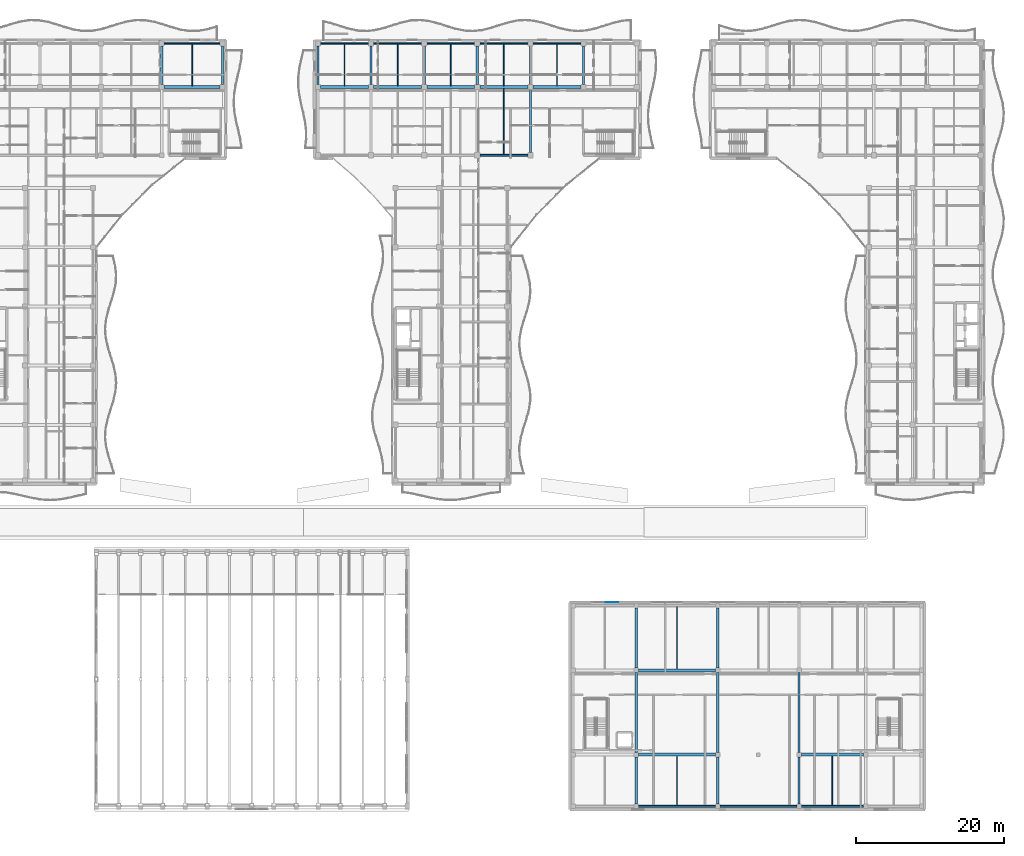
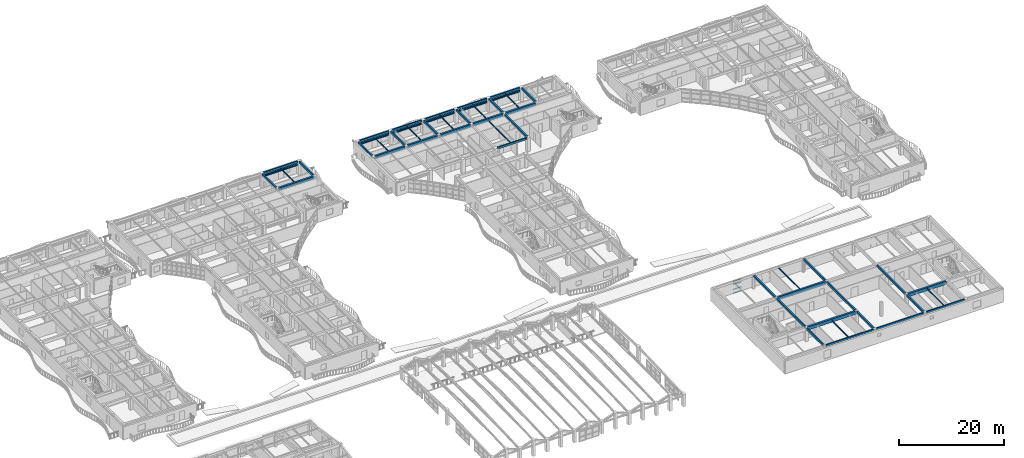
# One storey, part 57 of 128: 46 beams, 16 members, 1 element without a shape of its own.
"""IFC4 building model written with IfcOpenShell, lengths in metres."""

from ifc_helpers import new_model, si_unit, direction, frame, origin, origin_2d, place, context, subcontext, project, spatial, rectangle, hollow_rectangle, i_section, extrude, material, layer, layer_set, material_profile, profile_set, type_object, element, aggregate, save


model = new_model("IFC4")

# Units and contexts
model_context = context("Model", 3, precision=1e-05, world=origin(), true_north=direction((0.0, 1.0)))
body_context = subcontext(model_context, "Body", "Model", "MODEL_VIEW")
ifc_project = project(units=[si_unit("LENGTHUNIT", "METRE"), si_unit("AREAUNIT", "SQUARE_METRE"), si_unit("VOLUMEUNIT", "CUBIC_METRE"), si_unit("PLANEANGLEUNIT", "RADIAN"), si_unit("MASSUNIT", "GRAM", prefix="KILO")], contexts=[model_context])

# Site, building, storey
site_placement = place(None, origin())
site = spatial("IfcSite", under=ifc_project, at=site_placement, CompositionType="ELEMENT")
building_placement = place(site_placement, origin())
building = spatial("IfcBuilding", under=site, at=building_placement, Name="Keldmere Railside Commons", CompositionType="ELEMENT")
storey_placement = place(building_placement, frame((0.0, 0.0, 4.159912109375)))
storey = spatial("IfcBuildingStorey", under=building, at=storey_placement, Name="L01", CompositionType="ELEMENT", Elevation=4.159912109375)

# Members
ifc_material_1 = material(Name="Steel F-36 (S355)", Category="steel")
ifc_material_profile_1 = material_profile(ifc_material_1, hollow_rectangle(XDim=0.14990234375, YDim=0.25, WallThickness=0.010009765625, at=origin_2d()), Name="RHS-250x150x10")
ifc_profile_set_1 = profile_set([ifc_material_profile_1], Name="Steel F-36 (S355)")
member_type_1 = type_object("IfcMemberType", Name="Balcony Continuous Planted Trough RHS250x150", PredefinedType="CHORD", material=ifc_profile_set_1)
member_1_placement = place(storey_placement, frame((73.155029296875, 115.550048828125, 2.4150390625), z_axis=(1.0, 0.0, 0.0), x_axis=(0.0, 1.0, 0.0)))
element("IfcMember", 1, at=member_1_placement, inside=storey, type_object=member_type_1, Name="PLT-1 MEM-BPLT-0127", PredefinedType="CHORD", context=body_context, shape_type="SweptSolid", body=[
    extrude(hollow_rectangle(XDim=0.14990234375, YDim=0.25, WallThickness=0.010009765625, at=origin_2d()), origin(), (0.0, 0.0, 1.0), 7.570068359375),
])
member_2_placement = place(storey_placement, frame((94.300048828125, 115.550048828125, 2.4150390625), z_axis=(1.0, 0.0, 0.0), x_axis=(0.0, 1.0, 0.0)))
element("IfcMember", 2, at=member_2_placement, inside=storey, type_object=member_type_1, Name="PLT-1 MEM-BPLT-0153", PredefinedType="CHORD", context=body_context, shape_type="SweptSolid", body=[
    extrude(hollow_rectangle(XDim=0.14990234375, YDim=0.25, WallThickness=0.010009765625, at=origin_2d()), origin(), (0.0, 0.0, 1.0), 6.48291015625),
])
member_3_placement = place(storey_placement, frame((101.48291015625, 115.550048828125, 2.4150390625), z_axis=(1.0, 0.0, 0.0), x_axis=(0.0, 1.0, 0.0)))
element("IfcMember", 3, at=member_3_placement, inside=storey, type_object=member_type_1, Name="PLT-1 MEM-BPLT-0155", PredefinedType="CHORD", context=body_context, shape_type="SweptSolid", body=[
    extrude(hollow_rectangle(XDim=0.14990234375, YDim=0.25, WallThickness=0.010009765625, at=origin_2d()), origin(), (0.0, 0.0, 1.0), 6.484130859375),
])
for number, where, z_axis, x_axis, name in (
    (4, (108.6669921875, 115.550048828125, 2.4150390625), (1.0, 0.0, 0.0), (0.0, 1.0, 0.0), "PLT-1 MEM-BPLT-0157"),
    (5, (115.85009765625, 115.550048828125, 2.4150390625), (1.0, 0.0, 0.0), (0.0, 1.0, 0.0), "PLT-1 MEM-BPLT-0159"),
):
    element("IfcMember", number, at=place(storey_placement, frame(where, z_axis=z_axis, x_axis=x_axis)), inside=storey, type_object=member_type_1, Name=name, PredefinedType="CHORD", context=body_context, shape_type="SweptSolid", body=[
        extrude(hollow_rectangle(XDim=0.14990234375, YDim=0.25, WallThickness=0.010009765625, at=origin_2d()), origin(), (0.0, 0.0, 1.0), 6.48291015625),
    ])
member_4_placement = place(storey_placement, frame((123.032958984375, 115.550048828125, 2.4150390625), z_axis=(1.0, 0.0, 0.0), x_axis=(0.0, 1.0, 0.0)))
element("IfcMember", 6, at=member_4_placement, inside=storey, type_object=member_type_1, Name="PLT-1 MEM-BPLT-0161", PredefinedType="CHORD", context=body_context, shape_type="SweptSolid", body=[
    extrude(hollow_rectangle(XDim=0.14990234375, YDim=0.25, WallThickness=0.010009765625, at=origin_2d()), origin(), (0.0, 0.0, 1.0), 6.484130859375),
])

# Beams
ifc_material_2 = material(Name="Concrete H-35 (C35/45)", Category="concrete")
ifc_material_profile_2 = material_profile(ifc_material_2, rectangle(XDim=0.39990234375, YDim=0.75, at=origin_2d()), Name="RC-400x750")
ifc_profile_set_2 = profile_set([ifc_material_profile_2], Name="Concrete H-35 (C35/45)")
beam_type_1 = type_object("IfcBeamType", Name="Civic Frame RC Girder 400x750", PredefinedType="BEAM", material=ifc_profile_set_2)
beam_1_placement = place(storey_placement, frame((137.300048828125, 19.39990234375, 2.8251953125), z_axis=(1.0, 0.0, 0.0), x_axis=(0.0, 1.0, 0.0)))
element("IfcBeam", 7, at=beam_1_placement, inside=storey, type_object=beam_type_1, Name="BG-2 BM-L01-0754", PredefinedType="BEAM", context=body_context, shape_type="SweptSolid", body=[
    extrude(rectangle(XDim=0.39990234375, YDim=0.75, at=origin_2d()), origin(), (0.0, 0.0, 1.0), 10.39990234375),
])
beam_2_placement = place(storey_placement, frame((159.300048828125, 19.39990234375, 2.8251953125), z_axis=(1.0, 0.0, 0.0), x_axis=(0.0, 1.0, 0.0)))
element("IfcBeam", 8, at=beam_2_placement, inside=storey, type_object=beam_type_1, Name="BG-2 BM-L01-0755", PredefinedType="BEAM", context=body_context, shape_type="SweptSolid", body=[
    extrude(rectangle(XDim=0.39990234375, YDim=0.75, at=origin_2d()), origin(), (0.0, 0.0, 1.0), 8.39990234375),
])
beam_3_placement = place(storey_placement, frame((137.300048828125, 30.800048828125, 2.8251953125), z_axis=(1.0, 0.0, 0.0), x_axis=(0.0, 1.0, 0.0)))
element("IfcBeam", 9, at=beam_3_placement, inside=storey, type_object=beam_type_1, Name="BG-2 BM-L01-0762", PredefinedType="BEAM", context=body_context, shape_type="SweptSolid", body=[
    extrude(rectangle(XDim=0.39990234375, YDim=0.75, at=origin_2d()), origin(), (0.0, 0.0, 1.0), 10.39990234375),
])
ifc_material_profile_3 = material_profile(ifc_material_1, i_section(OverallWidth=0.1201171875, OverallDepth=0.239990234375, WebThickness=0.006103515625, FlangeThickness=0.009765625, at=origin_2d()), Name="IPE-240")
ifc_profile_set_3 = profile_set([ifc_material_profile_3], Name="Steel F-36 (S355)")
beam_type_2 = type_object("IfcBeamType", Name="Nursery & Mezzanine Steel Joist IPE240", PredefinedType="JOIST", material=ifc_profile_set_3)
for number, where, z_axis, x_axis, name in (
    (10, (142.5, 12.574951171875, 2.81005859375), (0.0, 1.0, 0.0), (-1.0, 0.0, 0.0), "JST-2 BM-L01-0983"),
    (11, (163.5, 12.574951171875, 2.81005859375), (0.0, 1.0, 0.0), (-1.0, 0.0, 0.0), "JST-2 BM-L01-0984"),
):
    element("IfcBeam", number, at=place(storey_placement, frame(where, z_axis=z_axis, x_axis=x_axis)), inside=storey, type_object=beam_type_2, Name=name, PredefinedType="JOIST", context=body_context, shape_type="SweptSolid", body=[
        extrude(i_section(OverallWidth=0.1201171875, OverallDepth=0.239990234375, WebThickness=0.006103515625, FlangeThickness=0.009765625, at=origin_2d()), origin(), (0.0, 0.0, 1.0), 6.625),
    ])
beam_4_placement = place(storey_placement, frame((142.5, 31.0, 2.81005859375), z_axis=(0.0, 1.0, 0.0), x_axis=(-1.0, 0.0, 0.0)))
element("IfcBeam", 12, at=beam_4_placement, inside=storey, type_object=beam_type_2, Name="JST-2 BM-L01-0992", PredefinedType="JOIST", context=body_context, shape_type="SweptSolid", body=[
    extrude(i_section(OverallWidth=0.1201171875, OverallDepth=0.239990234375, WebThickness=0.006103515625, FlangeThickness=0.009765625, at=origin_2d()), origin(), (0.0, 0.0, 1.0), 8.425048828125),
])
beam_5_placement = place(storey_placement, frame((119.091064453125, 100.574951171875, 2.81005859375), z_axis=(0.0, 1.0, 0.0), x_axis=(-1.0, 0.0, 0.0)))
element("IfcBeam", 13, at=beam_5_placement, inside=storey, type_object=beam_type_2, Name="JST-2 BM-L01-1026", PredefinedType="JOIST", context=body_context, shape_type="SweptSolid", body=[
    extrude(i_section(OverallWidth=0.1201171875, OverallDepth=0.239990234375, WebThickness=0.006103515625, FlangeThickness=0.009765625, at=origin_2d()), origin(), (0.0, 0.0, 1.0), 8.875),
])
for number, where, z_axis, x_axis, name in (
    (14, (76.93994140625, 109.85009765625, 2.81005859375), (0.0, 1.0, 0.0), (-1.0, 0.0, 0.0), "JST-2 BM-L01-1037"),
    (15, (97.541015625, 109.85009765625, 2.81005859375), (0.0, 1.0, 0.0), (-1.0, 0.0, 0.0), "JST-2 BM-L01-1038"),
    (16, (104.72509765625, 109.85009765625, 2.81005859375), (0.0, 1.0, 0.0), (-1.0, 0.0, 0.0), "JST-2 BM-L01-1039"),
    (17, (111.908935546875, 109.85009765625, 2.81005859375), (0.0, 1.0, 0.0), (-1.0, 0.0, 0.0), "JST-2 BM-L01-1040"),
    (18, (119.091064453125, 109.85009765625, 2.81005859375), (0.0, 1.0, 0.0), (-1.0, 0.0, 0.0), "JST-2 BM-L01-1041"),
    (19, (126.27490234375, 109.85009765625, 2.81005859375), (0.0, 1.0, 0.0), (-1.0, 0.0, 0.0), "JST-2 BM-L01-1042"),
):
    element("IfcBeam", number, at=place(storey_placement, frame(where, z_axis=z_axis, x_axis=x_axis)), inside=storey, type_object=beam_type_2, Name=name, PredefinedType="JOIST", context=body_context, shape_type="SweptSolid", body=[
        extrude(i_section(OverallWidth=0.1201171875, OverallDepth=0.239990234375, WebThickness=0.006103515625, FlangeThickness=0.009765625, at=origin_2d()), origin(), (0.0, 0.0, 1.0), 5.574951171875),
    ])
ifc_material_3 = material(Name="Architectural Precast Concrete H-35 (C35/45)", Category="concrete")
ifc_material_profile_4 = material_profile(ifc_material_3, rectangle(XDim=0.25, YDim=0.449951171875, at=origin_2d()), Name="RC-250x450")
ifc_profile_set_4 = profile_set([ifc_material_profile_4], Name="Architectural Precast Concrete H-35 (C35/45)")
beam_type_3 = type_object("IfcBeamType", Name="Perimeter Precast Spandrel Beam 250x450", PredefinedType="SPANDREL", material=ifc_profile_set_4)
for number, where, z_axis, x_axis, name in (
    (20, (137.300048828125, 12.449951171875, 2.97509765625), (1.0, 0.0, 0.0), (0.0, 1.0, 0.0), "SPB-1 BM-L01-0745"),
    (21, (148.300048828125, 12.449951171875, 2.97509765625), (1.0, 0.0, 0.0), (0.0, 1.0, 0.0), "SPB-1 BM-L01-0746"),
):
    element("IfcBeam", number, at=place(storey_placement, frame(where, z_axis=z_axis, x_axis=x_axis)), inside=storey, type_object=beam_type_3, Name=name, PredefinedType="SPANDREL", context=body_context, shape_type="SweptSolid", body=[
        extrude(rectangle(XDim=0.25, YDim=0.449951171875, at=origin_2d()), origin(), (0.0, 0.0, 1.0), 10.39990234375),
    ])
beam_6_placement = place(storey_placement, frame((159.300048828125, 12.449951171875, 2.97509765625), z_axis=(1.0, 0.0, 0.0), x_axis=(0.0, 1.0, 0.0)))
element("IfcBeam", 22, at=beam_6_placement, inside=storey, type_object=beam_type_3, Name="SPB-1 BM-L01-0747", PredefinedType="SPANDREL", context=body_context, shape_type="SweptSolid", body=[
    extrude(rectangle(XDim=0.25, YDim=0.449951171875, at=origin_2d()), origin(), (0.0, 0.0, 1.0), 8.39990234375),
])
beam_7_placement = place(storey_placement, frame((115.85009765625, 100.449951171875, 2.97509765625), z_axis=(1.0, 0.0, 0.0), x_axis=(0.0, 1.0, 0.0)))
element("IfcBeam", 23, at=beam_7_placement, inside=storey, type_object=beam_type_3, Name="SPB-1 BM-L01-0826", PredefinedType="SPANDREL", context=body_context, shape_type="SweptSolid", body=[
    extrude(rectangle(XDim=0.25, YDim=0.449951171875, at=origin_2d()), origin(), (0.0, 0.0, 1.0), 6.48291015625),
])
beam_8_placement = place(storey_placement, frame((73.155029296875, 115.550048828125, 2.97509765625), z_axis=(1.0, 0.0, 0.0), x_axis=(0.0, 1.0, 0.0)))
element("IfcBeam", 24, at=beam_8_placement, inside=storey, type_object=beam_type_3, Name="SPB-1 BM-L01-0855", PredefinedType="SPANDREL", context=body_context, shape_type="SweptSolid", body=[
    extrude(rectangle(XDim=0.25, YDim=0.449951171875, at=origin_2d()), origin(), (0.0, 0.0, 1.0), 7.570068359375),
])
beam_9_placement = place(storey_placement, frame((94.300048828125, 115.550048828125, 2.97509765625), z_axis=(1.0, 0.0, 0.0), x_axis=(0.0, 1.0, 0.0)))
element("IfcBeam", 25, at=beam_9_placement, inside=storey, type_object=beam_type_3, Name="SPB-1 BM-L01-0856", PredefinedType="SPANDREL", context=body_context, shape_type="SweptSolid", body=[
    extrude(rectangle(XDim=0.25, YDim=0.449951171875, at=origin_2d()), origin(), (0.0, 0.0, 1.0), 6.48291015625),
])
beam_10_placement = place(storey_placement, frame((101.48291015625, 115.550048828125, 2.97509765625), z_axis=(1.0, 0.0, 0.0), x_axis=(0.0, 1.0, 0.0)))
element("IfcBeam", 26, at=beam_10_placement, inside=storey, type_object=beam_type_3, Name="SPB-1 BM-L01-0857", PredefinedType="SPANDREL", context=body_context, shape_type="SweptSolid", body=[
    extrude(rectangle(XDim=0.25, YDim=0.449951171875, at=origin_2d()), origin(), (0.0, 0.0, 1.0), 6.484130859375),
])
for number, where, z_axis, x_axis, name in (
    (27, (108.6669921875, 115.550048828125, 2.97509765625), (1.0, 0.0, 0.0), (0.0, 1.0, 0.0), "SPB-1 BM-L01-0858"),
    (28, (115.85009765625, 115.550048828125, 2.97509765625), (1.0, 0.0, 0.0), (0.0, 1.0, 0.0), "SPB-1 BM-L01-0859"),
):
    element("IfcBeam", number, at=place(storey_placement, frame(where, z_axis=z_axis, x_axis=x_axis)), inside=storey, type_object=beam_type_3, Name=name, PredefinedType="SPANDREL", context=body_context, shape_type="SweptSolid", body=[
        extrude(rectangle(XDim=0.25, YDim=0.449951171875, at=origin_2d()), origin(), (0.0, 0.0, 1.0), 6.48291015625),
    ])
beam_11_placement = place(storey_placement, frame((123.032958984375, 115.550048828125, 2.97509765625), z_axis=(1.0, 0.0, 0.0), x_axis=(0.0, 1.0, 0.0)))
element("IfcBeam", 29, at=beam_11_placement, inside=storey, type_object=beam_type_3, Name="SPB-1 BM-L01-0860", PredefinedType="SPANDREL", context=body_context, shape_type="SweptSolid", body=[
    extrude(rectangle(XDim=0.25, YDim=0.449951171875, at=origin_2d()), origin(), (0.0, 0.0, 1.0), 6.484130859375),
])
ifc_material_4 = material(Name="Concrete H-30 (C30/37)", Category="concrete")
ifc_material_profile_5 = material_profile(ifc_material_4, rectangle(XDim=0.39990234375, YDim=0.64990234375, at=origin_2d()), Name="RC-400x650")
ifc_profile_set_5 = profile_set([ifc_material_profile_5], Name="Concrete H-30 (C30/37)")
beam_type_4 = type_object("IfcBeamType", Name="Residential Spine RC Girder 400x650", PredefinedType="BEAM", material=ifc_profile_set_5)
beam_12_placement = place(storey_placement, frame((73.155029296875, 109.64990234375, 2.875), z_axis=(1.0, 0.0, 0.0), x_axis=(0.0, 1.0, 0.0)))
element("IfcBeam", 30, at=beam_12_placement, inside=storey, type_object=beam_type_4, Name="BG-3 BM-L01-0836", PredefinedType="BEAM", context=body_context, shape_type="SweptSolid", body=[
    extrude(rectangle(XDim=0.39990234375, YDim=0.64990234375, at=origin_2d()), origin(), (0.0, 0.0, 1.0), 7.570068359375),
])
beam_13_placement = place(storey_placement, frame((94.300048828125, 109.64990234375, 2.875), z_axis=(1.0, 0.0, 0.0), x_axis=(0.0, 1.0, 0.0)))
element("IfcBeam", 31, at=beam_13_placement, inside=storey, type_object=beam_type_4, Name="BG-3 BM-L01-0837", PredefinedType="BEAM", context=body_context, shape_type="SweptSolid", body=[
    extrude(rectangle(XDim=0.39990234375, YDim=0.64990234375, at=origin_2d()), origin(), (0.0, 0.0, 1.0), 6.48291015625),
])
beam_14_placement = place(storey_placement, frame((101.48291015625, 109.64990234375, 2.875), z_axis=(1.0, 0.0, 0.0), x_axis=(0.0, 1.0, 0.0)))
element("IfcBeam", 32, at=beam_14_placement, inside=storey, type_object=beam_type_4, Name="BG-3 BM-L01-0838", PredefinedType="BEAM", context=body_context, shape_type="SweptSolid", body=[
    extrude(rectangle(XDim=0.39990234375, YDim=0.64990234375, at=origin_2d()), origin(), (0.0, 0.0, 1.0), 6.484130859375),
])
for number, where, z_axis, x_axis, name in (
    (33, (108.6669921875, 109.64990234375, 2.875), (1.0, 0.0, 0.0), (0.0, 1.0, 0.0), "BG-3 BM-L01-0839"),
    (34, (115.85009765625, 109.64990234375, 2.875), (1.0, 0.0, 0.0), (0.0, 1.0, 0.0), "BG-3 BM-L01-0840"),
):
    element("IfcBeam", number, at=place(storey_placement, frame(where, z_axis=z_axis, x_axis=x_axis)), inside=storey, type_object=beam_type_4, Name=name, PredefinedType="BEAM", context=body_context, shape_type="SweptSolid", body=[
        extrude(rectangle(XDim=0.39990234375, YDim=0.64990234375, at=origin_2d()), origin(), (0.0, 0.0, 1.0), 6.48291015625),
    ])
beam_15_placement = place(storey_placement, frame((123.032958984375, 109.64990234375, 2.875), z_axis=(1.0, 0.0, 0.0), x_axis=(0.0, 1.0, 0.0)))
element("IfcBeam", 35, at=beam_15_placement, inside=storey, type_object=beam_type_4, Name="BG-3 BM-L01-0841", PredefinedType="BEAM", context=body_context, shape_type="SweptSolid", body=[
    extrude(rectangle(XDim=0.39990234375, YDim=0.64990234375, at=origin_2d()), origin(), (0.0, 0.0, 1.0), 6.484130859375),
])
ifc_material_profile_6 = material_profile(ifc_material_4, rectangle(XDim=0.300048828125, YDim=0.5, at=origin_2d()), Name="RC-300x500")
ifc_profile_set_6 = profile_set([ifc_material_profile_6], Name="Concrete H-30 (C30/37)")
beam_type_5 = type_object("IfcBeamType", Name="Secondary Frame RC Beam 300x500", PredefinedType="BEAM", material=ifc_profile_set_6)
for number, where, z_axis, x_axis, name in (
    (36, (72.830078125, 109.97509765625, 2.9501953125), (0.0, 1.0, 0.0), (-1.0, 0.0, 0.0), "BG-5 BM-L01-0909"),
    (37, (81.050048828125, 109.97509765625, 2.9501953125), (0.0, 1.0, 0.0), (-1.0, 0.0, 0.0), "BG-5 BM-L01-0910"),
):
    element("IfcBeam", number, at=place(storey_placement, frame(where, z_axis=z_axis, x_axis=x_axis)), inside=storey, type_object=beam_type_5, Name=name, PredefinedType="BEAM", context=body_context, shape_type="SweptSolid", body=[
        extrude(rectangle(XDim=0.300048828125, YDim=0.5, at=origin_2d()), origin(), (0.0, 0.0, 1.0), 5.25),
    ])
for number, where, z_axis, x_axis, name in (
    (38, (93.949951171875, 110.0, 2.9501953125), (0.0, 1.0, 0.0), (-1.0, 0.0, 0.0), "BG-5 BM-L01-0912"),
    (39, (101.133056640625, 110.0, 2.9501953125), (0.0, 1.0, 0.0), (-1.0, 0.0, 0.0), "BG-5 BM-L01-0914"),
    (40, (108.31689453125, 110.0, 2.9501953125), (0.0, 1.0, 0.0), (-1.0, 0.0, 0.0), "BG-5 BM-L01-0918"),
    (41, (115.5, 110.0, 2.9501953125), (0.0, 1.0, 0.0), (-1.0, 0.0, 0.0), "BG-5 BM-L01-0925"),
):
    element("IfcBeam", number, at=place(storey_placement, frame(where, z_axis=z_axis, x_axis=x_axis)), inside=storey, type_object=beam_type_5, Name=name, PredefinedType="BEAM", context=body_context, shape_type="SweptSolid", body=[
        extrude(rectangle(XDim=0.300048828125, YDim=0.5, at=origin_2d()), origin(), (0.0, 0.0, 1.0), 5.199951171875),
    ])
beam_16_placement = place(storey_placement, frame((122.68310546875, 100.800048828125, 2.9501953125), z_axis=(0.0, 1.0, 0.0), x_axis=(-1.0, 0.0, 0.0)))
element("IfcBeam", 42, at=beam_16_placement, inside=storey, type_object=beam_type_5, Name="BG-5 BM-L01-0935", PredefinedType="BEAM", context=body_context, shape_type="SweptSolid", body=[
    extrude(rectangle(XDim=0.300048828125, YDim=0.5, at=origin_2d()), origin(), (0.0, 0.0, 1.0), 8.5),
])
for number, where, z_axis, x_axis, name in (
    (43, (122.68310546875, 110.0, 2.9501953125), (0.0, 1.0, 0.0), (-1.0, 0.0, 0.0), "BG-5 BM-L01-0936"),
    (44, (129.866943359375, 110.0, 2.9501953125), (0.0, 1.0, 0.0), (-1.0, 0.0, 0.0), "BG-5 BM-L01-0940"),
):
    element("IfcBeam", number, at=place(storey_placement, frame(where, z_axis=z_axis, x_axis=x_axis)), inside=storey, type_object=beam_type_5, Name=name, PredefinedType="BEAM", context=body_context, shape_type="SweptSolid", body=[
        extrude(rectangle(XDim=0.300048828125, YDim=0.5, at=origin_2d()), origin(), (0.0, 0.0, 1.0), 5.199951171875),
    ])
beam_17_placement = place(storey_placement, frame((137.0, 12.75, 2.9501953125), z_axis=(0.0, 1.0, 0.0), x_axis=(-1.0, 0.0, 0.0)))
element("IfcBeam", 45, at=beam_17_placement, inside=storey, type_object=beam_type_5, Name="BG-5 BM-L01-0941", PredefinedType="BEAM", context=body_context, shape_type="SweptSolid", body=[
    extrude(rectangle(XDim=0.300048828125, YDim=0.5, at=origin_2d()), origin(), (0.0, 0.0, 1.0), 6.35009765625),
])
beam_18_placement = place(storey_placement, frame((137.0, 19.699951171875, 2.9501953125), z_axis=(0.0, 1.0, 0.0), x_axis=(-1.0, 0.0, 0.0)))
element("IfcBeam", 46, at=beam_18_placement, inside=storey, type_object=beam_type_5, Name="BG-5 BM-L01-0942", PredefinedType="BEAM", context=body_context, shape_type="SweptSolid", body=[
    extrude(rectangle(XDim=0.300048828125, YDim=0.5, at=origin_2d()), origin(), (0.0, 0.0, 1.0), 10.800048828125),
])
beam_19_placement = place(storey_placement, frame((137.0, 31.10009765625, 2.9501953125), z_axis=(0.0, 1.0, 0.0), x_axis=(-1.0, 0.0, 0.0)))
element("IfcBeam", 47, at=beam_19_placement, inside=storey, type_object=beam_type_5, Name="BG-5 BM-L01-0943", PredefinedType="BEAM", context=body_context, shape_type="SweptSolid", body=[
    extrude(rectangle(XDim=0.300048828125, YDim=0.5, at=origin_2d()), origin(), (0.0, 0.0, 1.0), 8.14990234375),
])
beam_20_placement = place(storey_placement, frame((148.0, 12.75, 2.9501953125), z_axis=(0.0, 1.0, 0.0), x_axis=(-1.0, 0.0, 0.0)))
element("IfcBeam", 48, at=beam_20_placement, inside=storey, type_object=beam_type_5, Name="BG-5 BM-L01-0946", PredefinedType="BEAM", context=body_context, shape_type="SweptSolid", body=[
    extrude(rectangle(XDim=0.300048828125, YDim=0.5, at=origin_2d()), origin(), (0.0, 0.0, 1.0), 6.35009765625),
])
beam_21_placement = place(storey_placement, frame((148.0, 19.699951171875, 2.9501953125), z_axis=(0.0, 1.0, 0.0), x_axis=(-1.0, 0.0, 0.0)))
element("IfcBeam", 49, at=beam_21_placement, inside=storey, type_object=beam_type_5, Name="BG-5 BM-L01-0947", PredefinedType="BEAM", context=body_context, shape_type="SweptSolid", body=[
    extrude(rectangle(XDim=0.300048828125, YDim=0.5, at=origin_2d()), origin(), (0.0, 0.0, 1.0), 10.800048828125),
])
beam_22_placement = place(storey_placement, frame((148.0, 31.10009765625, 2.9501953125), z_axis=(0.0, 1.0, 0.0), x_axis=(-1.0, 0.0, 0.0)))
element("IfcBeam", 50, at=beam_22_placement, inside=storey, type_object=beam_type_5, Name="BG-5 BM-L01-0948", PredefinedType="BEAM", context=body_context, shape_type="SweptSolid", body=[
    extrude(rectangle(XDim=0.300048828125, YDim=0.5, at=origin_2d()), origin(), (0.0, 0.0, 1.0), 8.14990234375),
])
beam_23_placement = place(storey_placement, frame((159.0, 12.75, 2.9501953125), z_axis=(0.0, 1.0, 0.0), x_axis=(-1.0, 0.0, 0.0)))
element("IfcBeam", 51, at=beam_23_placement, inside=storey, type_object=beam_type_5, Name="BG-5 BM-L01-0950", PredefinedType="BEAM", context=body_context, shape_type="SweptSolid", body=[
    extrude(rectangle(XDim=0.300048828125, YDim=0.5, at=origin_2d()), origin(), (0.0, 0.0, 1.0), 6.35009765625),
])
beam_24_placement = place(storey_placement, frame((159.0, 19.699951171875, 2.9501953125), z_axis=(0.0, 1.0, 0.0), x_axis=(-1.0, 0.0, 0.0)))
element("IfcBeam", 52, at=beam_24_placement, inside=storey, type_object=beam_type_5, Name="BG-5 BM-L01-0951", PredefinedType="BEAM", context=body_context, shape_type="SweptSolid", body=[
    extrude(rectangle(XDim=0.300048828125, YDim=0.5, at=origin_2d()), origin(), (0.0, 0.0, 1.0), 10.800048828125),
])

# Members
ifc_material_profile_7 = material_profile(ifc_material_1, hollow_rectangle(XDim=0.10009765625, YDim=0.159912109375, WallThickness=0.008056640625, at=origin_2d()), Name="RHS-160x100x8")
ifc_profile_set_7 = profile_set([ifc_material_profile_7], Name="Steel F-36 (S355)")
member_type_2 = type_object("IfcMemberType", Name="Solar Brise-Soleil Louvre Fin RHS160x100", PredefinedType="STRUT", material=ifc_profile_set_7)
member_5_placement = place(storey_placement, frame((73.155029296875, 115.550048828125, 2.2001953125), z_axis=(1.0, 0.0, 0.0), x_axis=(0.0, 1.0, 0.0)))
element("IfcMember", 53, at=member_5_placement, inside=storey, type_object=member_type_2, Name="BSF-1 MEM-BSF-0128", PredefinedType="STRUT", context=body_context, shape_type="SweptSolid", body=[
    extrude(hollow_rectangle(XDim=0.10009765625, YDim=0.159912109375, WallThickness=0.008056640625, at=origin_2d()), origin(), (0.0, 0.0, 1.0), 7.570068359375),
])
member_6_placement = place(storey_placement, frame((94.300048828125, 115.550048828125, 2.2001953125), z_axis=(1.0, 0.0, 0.0), x_axis=(0.0, 1.0, 0.0)))
element("IfcMember", 54, at=member_6_placement, inside=storey, type_object=member_type_2, Name="BSF-1 MEM-BSF-0154", PredefinedType="STRUT", context=body_context, shape_type="SweptSolid", body=[
    extrude(hollow_rectangle(XDim=0.10009765625, YDim=0.159912109375, WallThickness=0.008056640625, at=origin_2d()), origin(), (0.0, 0.0, 1.0), 6.48291015625),
])
member_7_placement = place(storey_placement, frame((101.48291015625, 115.550048828125, 2.2001953125), z_axis=(1.0, 0.0, 0.0), x_axis=(0.0, 1.0, 0.0)))
element("IfcMember", 55, at=member_7_placement, inside=storey, type_object=member_type_2, Name="BSF-1 MEM-BSF-0156", PredefinedType="STRUT", context=body_context, shape_type="SweptSolid", body=[
    extrude(hollow_rectangle(XDim=0.10009765625, YDim=0.159912109375, WallThickness=0.008056640625, at=origin_2d()), origin(), (0.0, 0.0, 1.0), 6.484130859375),
])
for number, where, z_axis, x_axis, name in (
    (56, (108.6669921875, 115.550048828125, 2.2001953125), (1.0, 0.0, 0.0), (0.0, 1.0, 0.0), "BSF-1 MEM-BSF-0158"),
    (57, (115.85009765625, 115.550048828125, 2.2001953125), (1.0, 0.0, 0.0), (0.0, 1.0, 0.0), "BSF-1 MEM-BSF-0160"),
):
    element("IfcMember", number, at=place(storey_placement, frame(where, z_axis=z_axis, x_axis=x_axis)), inside=storey, type_object=member_type_2, Name=name, PredefinedType="STRUT", context=body_context, shape_type="SweptSolid", body=[
        extrude(hollow_rectangle(XDim=0.10009765625, YDim=0.159912109375, WallThickness=0.008056640625, at=origin_2d()), origin(), (0.0, 0.0, 1.0), 6.48291015625),
    ])
member_8_placement = place(storey_placement, frame((123.032958984375, 115.550048828125, 2.2001953125), z_axis=(1.0, 0.0, 0.0), x_axis=(0.0, 1.0, 0.0)))
element("IfcMember", 58, at=member_8_placement, inside=storey, type_object=member_type_2, Name="BSF-1 MEM-BSF-0162", PredefinedType="STRUT", context=body_context, shape_type="SweptSolid", body=[
    extrude(hollow_rectangle(XDim=0.10009765625, YDim=0.159912109375, WallThickness=0.008056640625, at=origin_2d()), origin(), (0.0, 0.0, 1.0), 6.484130859375),
])

# Curtain wall, members
ifc_material_5 = material(Name="Thermally Broken Aluminium", Category="aluminium")
ifc_layer = layer(ifc_material_5, 0.159912109375, Name="Market Arcade Upper Gallery CW 3600x2800")
ifc_layer_set = layer_set([ifc_layer], Name="Thermally Broken Aluminium")
curtain_wall_type = type_object("IfcCurtainWallType", Name="Market Arcade Upper Gallery CW 3600x2800", PredefinedType="NOTDEFINED", material=ifc_layer_set)
curtain_wall_placement = place(storey_placement, origin())
curtain_wall = element("IfcCurtainWall", 59, at=curtain_wall_placement, inside=storey, type_object=curtain_wall_type, Name="CW-03 CW-L01-218", PredefinedType="NOTDEFINED")
ifc_material_profile_8 = material_profile(ifc_material_5, hollow_rectangle(XDim=0.06494140625, YDim=0.1201171875, WallThickness=0.00390625, at=origin_2d()), Name="ALU-TRAN-65x120")
ifc_profile_set_8 = profile_set([ifc_material_profile_8], Name="Thermally Broken Aluminium")
member_type_3 = type_object("IfcMemberType", Name="Unitised Curtain Wall Transom 65x120", PredefinedType="USERDEFINED", material=ifc_profile_set_8)
member_9_placement = place(storey_placement, frame((132.83251953125, 39.949951171875, 0.032470703125), z_axis=(1.0, 0.0, 0.0), x_axis=(0.0, 1.0, 0.0)))
member_9 = element("IfcMember", 60, at=member_9_placement, type_object=member_type_3, Name="CW-03 transom 2.1", ObjectType="TRANSOM", PredefinedType="USERDEFINED", context=body_context, shape_type="SweptSolid", body=[
    extrude(hollow_rectangle(XDim=0.06494140625, YDim=0.1201171875, WallThickness=0.00390625, at=origin_2d()), origin(), (0.0, 0.0, 1.0), 1.702392578125),
])
member_10_placement = place(storey_placement, frame((132.83251953125, 39.949951171875, 0.900146484375), z_axis=(1.0, 0.0, 0.0), x_axis=(0.0, 1.0, 0.0)))
member_10 = element("IfcMember", 61, at=member_10_placement, type_object=member_type_3, Name="CW-03 transom 2.2", ObjectType="TRANSOM", PredefinedType="USERDEFINED", context=body_context, shape_type="SweptSolid", body=[
    extrude(hollow_rectangle(XDim=0.06494140625, YDim=0.1201171875, WallThickness=0.00390625, at=origin_2d()), origin(), (0.0, 0.0, 1.0), 1.702392578125),
])
member_11_placement = place(storey_placement, frame((132.83251953125, 39.949951171875, 2.050048828125), z_axis=(1.0, 0.0, 0.0), x_axis=(0.0, 1.0, 0.0)))
member_11 = element("IfcMember", 62, at=member_11_placement, type_object=member_type_3, Name="CW-03 transom 2.3", ObjectType="TRANSOM", PredefinedType="USERDEFINED", context=body_context, shape_type="SweptSolid", body=[
    extrude(hollow_rectangle(XDim=0.06494140625, YDim=0.1201171875, WallThickness=0.00390625, at=origin_2d()), origin(), (0.0, 0.0, 1.0), 1.702392578125),
])
member_12_placement = place(storey_placement, frame((132.83251953125, 39.949951171875, 2.767578125), z_axis=(1.0, 0.0, 0.0), x_axis=(0.0, 1.0, 0.0)))
member_12 = element("IfcMember", 63, at=member_12_placement, type_object=member_type_3, Name="CW-03 transom 2.4", ObjectType="TRANSOM", PredefinedType="USERDEFINED", context=body_context, shape_type="SweptSolid", body=[
    extrude(hollow_rectangle(XDim=0.06494140625, YDim=0.1201171875, WallThickness=0.00390625, at=origin_2d()), origin(), (0.0, 0.0, 1.0), 1.702392578125),
])
aggregate(curtain_wall, [member_9, member_10, member_11, member_12])

save(model, "model.ifc")
